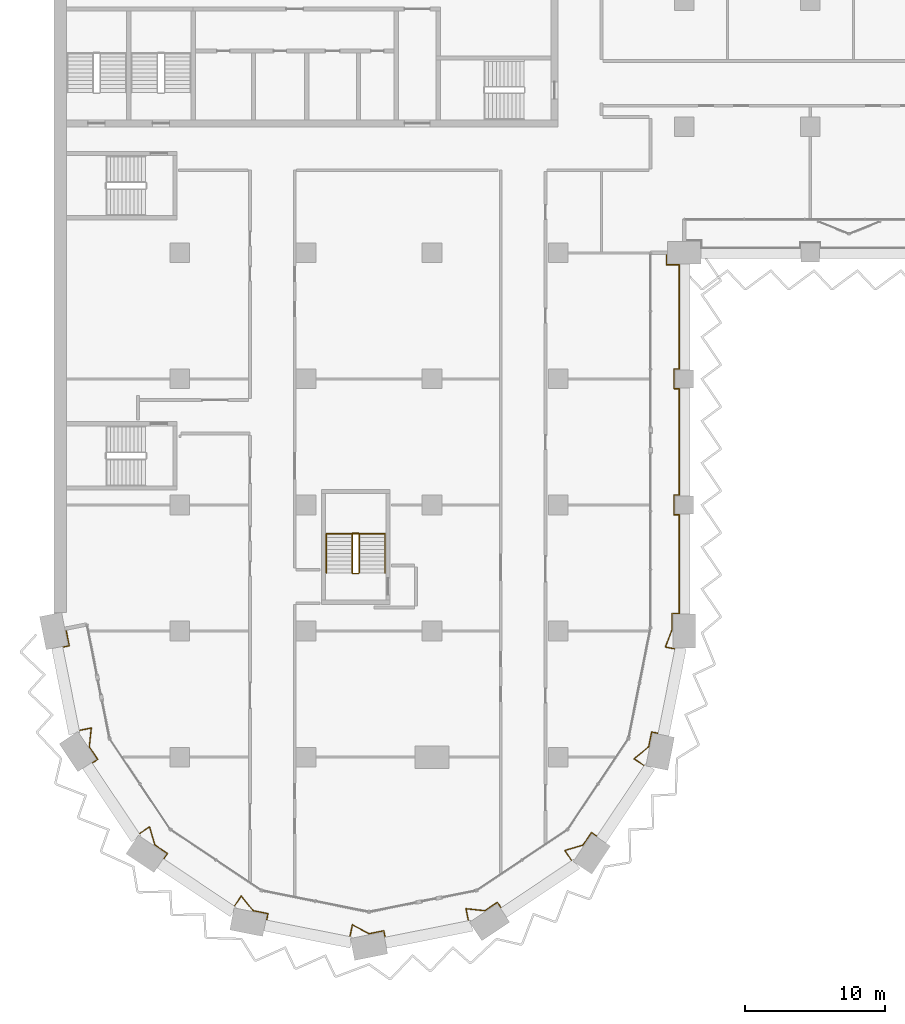
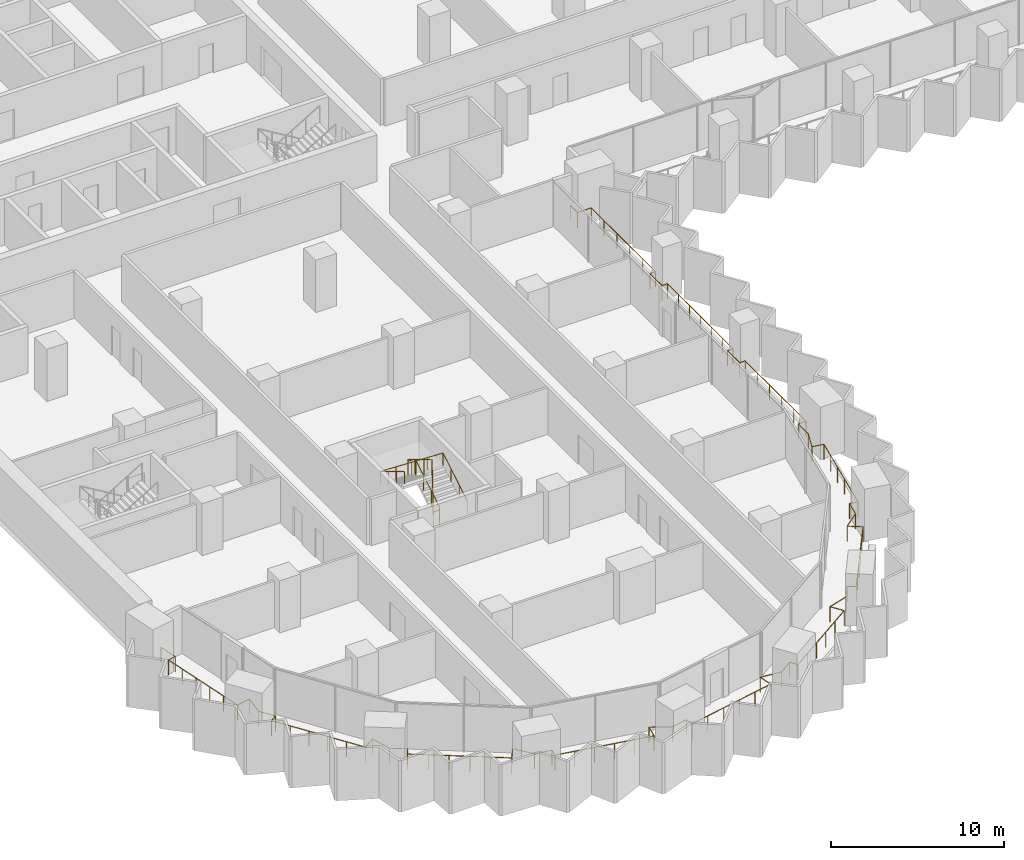
# One storey, part 24 of 28: 3 railings.
"""IFC4 building model written with IfcOpenShell, lengths in metres."""

from ifc_helpers import new_model, si_unit, direction, frame, origin, origin_2d, place, context, subcontext, project, spatial, circle, extrude, material, type_object, element, save


model = new_model("IFC4")

# Units and contexts
model_context = context("Model", 3, precision=1e-05, world=origin(), true_north=direction((0.0, 1.0)))
body_context = subcontext(model_context, "Body", "Model", "MODEL_VIEW")
ifc_project = project(units=[si_unit("LENGTHUNIT", "METRE"), si_unit("AREAUNIT", "SQUARE_METRE"), si_unit("VOLUMEUNIT", "CUBIC_METRE"), si_unit("PLANEANGLEUNIT", "RADIAN"), si_unit("MASSUNIT", "GRAM", prefix="KILO")], contexts=[model_context])

# Site, building, storey
site_placement = place(None, origin())
site = spatial("IfcSite", under=ifc_project, at=site_placement, CompositionType="ELEMENT")
building_placement = place(site_placement, origin())
building = spatial("IfcBuilding", under=site, at=building_placement, Name="Hunhe Ridgeline Campus", CompositionType="ELEMENT")
storey_placement = place(building_placement, frame((0.0, 0.0, 43.199951171875)))
storey = spatial("IfcBuildingStorey", under=building, at=storey_placement, Name="L09", CompositionType="ELEMENT", Elevation=43.199951171875)

# Railings
ifc_material_1 = material(Name="Steel Q355", Category="steel")
railing_type_1 = type_object("IfcRailingType", Name="Loggia guard 1100 Steel Q355", PredefinedType="GUARDRAIL", material=ifc_material_1)
railing_1_placement = place(storey_placement, frame((0.853271484375, 27.169677734375, 0.0)))
element("IfcRailing", 1, at=railing_1_placement, inside=storey, type_object=railing_type_1, Name="Loggia guard 1", PredefinedType="GUARDRAIL", context=body_context, shape_type="SweptSolid", body=[
    extrude(circle(Radius=0.02392578125, at=origin_2d()), frame((0.0, 0.0, 1.076171875), z_axis=(0.195139364365, -0.980775523999, 0.0), x_axis=(0.980775523999, 0.195139364365, 0.0)), (0.0, 0.0, 1.0), 1.249755859375),
    extrude(circle(Radius=0.02392578125, at=origin_2d()), frame((0.243896484375, -1.225830078125, 1.076171875), z_axis=(-0.980742851189, -0.195303506986, 0.0), x_axis=(0.195303506986, -0.980742851189, 0.0)), (0.0, 0.0, 1.0), 0.52001953125),
    extrude(circle(Radius=0.02392578125, at=origin_2d()), frame((-0.26611328125, -1.327392578125, 1.076171875), z_axis=(0.195094074844, -0.980784533912, 0.0), x_axis=(0.980784533912, 0.195094074844, 0.0)), (0.0, 0.0, 1.0), 6.064208984375),
    extrude(circle(Radius=0.02392578125, at=origin_2d()), frame((0.9169921875, -7.275146484375, 1.076171875), z_axis=(0.980774480174, 0.195144610585, 0.0), x_axis=(-0.195144610585, 0.980774480174, 0.0)), (0.0, 0.0, 1.0), 0.918212890625),
    extrude(circle(Radius=0.02392578125, at=origin_2d()), frame((1.817626953125, -7.095947265625, 1.076171875), z_axis=(-0.102578746514, -0.994724886973, 0.0), x_axis=(0.994724886973, -0.102578746514, 0.0)), (0.0, 0.0, 1.0), 1.351806640625),
    extrude(circle(Radius=0.02392578125, at=origin_2d()), frame((1.678955078125, -8.440673828125, 1.076171875), z_axis=(0.555693885997, -0.831386976724, 0.0), x_axis=(0.831386976724, 0.555693885997, 0.0)), (0.0, 0.0, 1.0), 1.076904296875),
    extrude(circle(Radius=0.02392578125, at=origin_2d()), frame((2.27734375, -9.3359375, 1.076171875), z_axis=(-0.831327417949, -0.555782982977, 0.0), x_axis=(0.555782982977, -0.831327417949, 0.0)), (0.0, 0.0, 1.0), 0.52001953125),
    extrude(circle(Radius=0.02392578125, at=origin_2d()), frame((1.844970703125, -9.625, 1.076171875), z_axis=(0.55557319973, -0.831467630002, 0.0), x_axis=(0.831467630002, 0.55557319973, 0.0)), (0.0, 0.0, 1.0), 6.064208984375),
    extrude(circle(Radius=0.02392578125, at=origin_2d()), frame((5.214111328125, -14.667236328125, 1.076171875), z_axis=(0.831395250422, 0.555681507318, 0.0), x_axis=(-0.555681507318, 0.831395250422, 0.0)), (0.0, 0.0, 1.0), 0.918212890625),
    extrude(circle(Radius=0.02392578125, at=origin_2d()), frame((5.9775390625, -14.156982421875, 1.076171875), z_axis=(0.285889499126, -0.958262591511, 0.0), x_axis=(0.958262591511, 0.285889499126, 0.0)), (0.0, 0.0, 1.0), 1.351806640625),
    extrude(circle(Radius=0.02392578125, at=origin_2d()), frame((6.364013671875, -15.452392578125, 1.076171875), z_axis=(0.831456967492, -0.555589156849, 0.0), x_axis=(0.555589156849, 0.831456967492, 0.0)), (0.0, 0.0, 1.0), 1.0771484375),
    extrude(circle(Radius=0.02392578125, at=origin_2d()), frame((7.259521484375, -16.05078125, 1.076171875), z_axis=(-0.555675381322, -0.831399344835, 0.0), x_axis=(0.831399344835, -0.555675381322, 0.0)), (0.0, 0.0, 1.0), 0.519775390625),
    extrude(circle(Radius=0.02392578125, at=origin_2d()), frame((6.970703125, -16.48291015625, 1.076171875), z_axis=(0.831467630002, -0.55557319973, 0.0), x_axis=(0.55557319973, 0.831467630002, 0.0)), (0.0, 0.0, 1.0), 6.064208984375),
    extrude(circle(Radius=0.02392578125, at=origin_2d()), frame((12.012939453125, -19.85205078125, 1.076171875), z_axis=(0.555497688072, 0.831518080709, 0.0), x_axis=(-0.831518080709, 0.555497688072, 0.0)), (0.0, 0.0, 1.0), 0.918212890625),
    extrude(circle(Radius=0.02392578125, at=origin_2d()), frame((12.52294921875, -19.088623046875, 1.076171875), z_axis=(0.630864561128, -0.775892972976, 0.0), x_axis=(0.775892972976, 0.630864561128, 0.0)), (0.0, 0.0, 1.0), 1.351806640625),
    extrude(circle(Radius=0.02392578125, at=origin_2d()), frame((13.375732421875, -20.137451171875, 1.076171875), z_axis=(0.980771998786, -0.195157081339, 0.0), x_axis=(0.195157081339, 0.980771998786, 0.0)), (0.0, 0.0, 1.0), 1.0771484375),
    extrude(circle(Radius=0.02392578125, at=origin_2d()), frame((14.43212890625, -20.34765625, 1.076171875), z_axis=(-0.195303506986, -0.980742851189, 0.0), x_axis=(0.980742851189, -0.195303506986, 0.0)), (0.0, 0.0, 1.0), 0.52001953125),
    extrude(circle(Radius=0.02392578125, at=origin_2d()), frame((14.33056640625, -20.857666015625, 1.076171875), z_axis=(0.980792236535, -0.195055347919, 0.0), x_axis=(0.195055347919, 0.980792236535, 0.0)), (0.0, 0.0, 1.0), 6.064208984375),
    extrude(circle(Radius=0.02392578125, at=origin_2d()), frame((20.2783203125, -22.04052734375, 1.076171875), z_axis=(0.195144610585, 0.980774480174, 0.0), x_axis=(-0.980774480174, 0.195144610585, 0.0)), (0.0, 0.0, 1.0), 0.918212890625),
    extrude(circle(Radius=0.02392578125, at=origin_2d()), frame((20.45751953125, -21.139892578125, 1.076171875), z_axis=(0.879704471732, -0.475520811757, 0.0), x_axis=(0.475520811757, 0.879704471732, 0.0)), (0.0, 0.0, 1.0), 1.351806640625),
    extrude(circle(Radius=0.02392578125, at=origin_2d()), frame((21.646728515625, -21.78271484375, 1.076171875), z_axis=(0.980763363144, 0.195200475189, 0.0), x_axis=(-0.195200475189, 0.980763363144, 0.0)), (0.0, 0.0, 1.0), 1.076904296875),
    extrude(circle(Radius=0.02392578125, at=origin_2d()), frame((22.702880859375, -21.572509765625, 1.076171875), z_axis=(0.195303506986, -0.980742851189, 0.0), x_axis=(0.980742851189, 0.195303506986, 0.0)), (0.0, 0.0, 1.0), 0.52001953125),
    extrude(circle(Radius=0.02392578125, at=origin_2d()), frame((22.804443359375, -22.08251953125, 1.076171875), z_axis=(0.980784533912, 0.195094074844, 0.0), x_axis=(-0.195094074844, 0.980784533912, 0.0)), (0.0, 0.0, 1.0), 6.064208984375),
    extrude(circle(Radius=0.02392578125, at=origin_2d()), frame((28.752197265625, -20.8994140625, 1.076171875), z_axis=(-0.195144610585, 0.980774480174, 0.0), x_axis=(-0.980774480174, -0.195144610585, 0.0)), (0.0, 0.0, 1.0), 0.918212890625),
    extrude(circle(Radius=0.02392578125, at=origin_2d()), frame((28.572998046875, -19.998779296875, 1.076171875), z_axis=(0.994724886973, -0.102578746514, 0.0), x_axis=(0.102578746514, 0.994724886973, 0.0)), (0.0, 0.0, 1.0), 1.351806640625),
    extrude(circle(Radius=0.02392578125, at=origin_2d()), frame((29.917724609375, -20.137451171875, 1.076171875), z_axis=(0.831386976724, 0.555693885997, 0.0), x_axis=(-0.555693885997, 0.831386976724, 0.0)), (0.0, 0.0, 1.0), 1.076904296875),
    extrude(circle(Radius=0.02392578125, at=origin_2d()), frame((30.81298828125, -19.5390625, 1.076171875), z_axis=(0.555782982977, -0.831327417949, 0.0), x_axis=(0.831327417949, 0.555782982977, 0.0)), (0.0, 0.0, 1.0), 0.52001953125),
    extrude(circle(Radius=0.02392578125, at=origin_2d()), frame((31.10205078125, -19.971435546875, 1.076171875), z_axis=(0.831467630002, 0.55557319973, 0.0), x_axis=(-0.55557319973, 0.831467630002, 0.0)), (0.0, 0.0, 1.0), 6.064208984375),
    extrude(circle(Radius=0.02392578125, at=origin_2d()), frame((36.144287109375, -16.602294921875, 1.076171875), z_axis=(-0.555681507318, 0.831395250422, 0.0), x_axis=(-0.831395250422, -0.555681507318, 0.0)), (0.0, 0.0, 1.0), 0.918212890625),
    extrude(circle(Radius=0.02392578125, at=origin_2d()), frame((35.634033203125, -15.8388671875, 1.076171875), z_axis=(0.958262591511, 0.285889499126, 0.0), x_axis=(-0.285889499126, 0.958262591511, 0.0)), (0.0, 0.0, 1.0), 1.351806640625),
    extrude(circle(Radius=0.02392578125, at=origin_2d()), frame((36.929443359375, -15.452392578125, 1.076171875), z_axis=(0.555589156849, 0.831456967492, 0.0), x_axis=(-0.831456967492, 0.555589156849, 0.0)), (0.0, 0.0, 1.0), 1.0771484375),
    extrude(circle(Radius=0.02392578125, at=origin_2d()), frame((37.52783203125, -14.556884765625, 1.076171875), z_axis=(0.831399344835, -0.555675381322, 0.0), x_axis=(0.555675381322, 0.831399344835, 0.0)), (0.0, 0.0, 1.0), 0.519775390625),
    extrude(circle(Radius=0.02392578125, at=origin_2d()), frame((37.9599609375, -14.845703125, 1.076171875), z_axis=(0.55557319973, 0.831467630002, 0.0), x_axis=(-0.831467630002, 0.55557319973, 0.0)), (0.0, 0.0, 1.0), 6.064208984375),
    extrude(circle(Radius=0.02392578125, at=origin_2d()), frame((41.3291015625, -9.803466796875, 1.076171875), z_axis=(-0.831518080709, 0.555497688072, 0.0), x_axis=(-0.555497688072, -0.831518080709, 0.0)), (0.0, 0.0, 1.0), 0.918212890625),
    extrude(circle(Radius=0.02392578125, at=origin_2d()), frame((40.565673828125, -9.29345703125, 1.076171875), z_axis=(0.775892972976, 0.630864561128, 0.0), x_axis=(-0.630864561128, 0.775892972976, 0.0)), (0.0, 0.0, 1.0), 1.351806640625),
    extrude(circle(Radius=0.02392578125, at=origin_2d()), frame((41.614501953125, -8.440673828125, 1.076171875), z_axis=(0.195157081339, 0.980771998786, 0.0), x_axis=(-0.980771998786, 0.195157081339, 0.0)), (0.0, 0.0, 1.0), 1.0771484375),
    extrude(circle(Radius=0.02392578125, at=origin_2d()), frame((41.82470703125, -7.38427734375, 1.076171875), z_axis=(0.980742851189, -0.195303506986, 0.0), x_axis=(0.195303506986, 0.980742851189, 0.0)), (0.0, 0.0, 1.0), 0.52001953125),
    extrude(circle(Radius=0.02392578125, at=origin_2d()), frame((42.334716796875, -7.48583984375, 1.076171875), z_axis=(0.19507712928, 0.980787904509, 0.0), x_axis=(-0.980787904509, 0.19507712928, 0.0)), (0.0, 0.0, 1.0), 6.146240234375),
    extrude(circle(Radius=0.02392578125, at=origin_2d()), frame((43.53369140625, -1.457763671875, 1.076171875), z_axis=(-0.980808789294, 0.194972097602, 0.0), x_axis=(-0.194972097602, -0.980808789294, 0.0)), (0.0, 0.0, 1.0), 0.73876953125),
    extrude(circle(Radius=0.02392578125, at=origin_2d()), frame((42.80908203125, -1.313720703125, 1.076171875), z_axis=(0.35537018301, 0.93472564586, 0.0), x_axis=(-0.93472564586, 0.35537018301, 0.0)), (0.0, 0.0, 1.0), 1.315673828125),
    extrude(circle(Radius=0.02392578125, at=origin_2d()), frame((43.276611328125, -0.083984375, 1.076171875), z_axis=(0.0, 1.0, 0.0), x_axis=(-1.0, 0.0, 0.0)), (0.0, 0.0, 1.0), 1.164306640625),
    extrude(circle(Radius=0.02392578125, at=origin_2d()), frame((43.276611328125, 1.080322265625, 1.076171875), z_axis=(1.0, 0.0, 0.0), x_axis=(0.0, 1.0, 0.0)), (0.0, 0.0, 1.0), 0.52001953125),
    extrude(circle(Radius=0.02392578125, at=origin_2d()), frame((43.796630859375, 1.080322265625, 1.076171875), z_axis=(0.0, 1.0, 0.0), x_axis=(-1.0, 0.0, 0.0)), (0.0, 0.0, 1.0), 7.050048828125),
    extrude(circle(Radius=0.02392578125, at=origin_2d()), frame((43.796630859375, 8.13037109375, 1.076171875), z_axis=(-1.0, 0.0, 0.0), x_axis=(0.0, -1.0, 0.0)), (0.0, 0.0, 1.0), 0.369873046875),
    extrude(circle(Radius=0.02392578125, at=origin_2d()), frame((43.4267578125, 8.13037109375, 1.076171875), z_axis=(0.0, 1.0, 0.0), x_axis=(-1.0, 0.0, 0.0)), (0.0, 0.0, 1.0), 1.39990234375),
    extrude(circle(Radius=0.02392578125, at=origin_2d()), frame((43.4267578125, 9.5302734375, 1.076171875), z_axis=(1.0, 0.0, 0.0), x_axis=(0.0, 1.0, 0.0)), (0.0, 0.0, 1.0), 0.369873046875),
    extrude(circle(Radius=0.02392578125, at=origin_2d()), frame((43.796630859375, 9.5302734375, 1.076171875), z_axis=(0.0, 1.0, 0.0), x_axis=(-1.0, 0.0, 0.0)), (0.0, 0.0, 1.0), 7.60009765625),
    extrude(circle(Radius=0.02392578125, at=origin_2d()), frame((43.796630859375, 17.13037109375, 1.076171875), z_axis=(-1.0, 0.0, 0.0), x_axis=(0.0, -1.0, 0.0)), (0.0, 0.0, 1.0), 0.369873046875),
    extrude(circle(Radius=0.02392578125, at=origin_2d()), frame((43.4267578125, 17.13037109375, 1.076171875), z_axis=(0.0, 1.0, 0.0), x_axis=(-1.0, 0.0, 0.0)), (0.0, 0.0, 1.0), 1.39990234375),
    extrude(circle(Radius=0.02392578125, at=origin_2d()), frame((43.4267578125, 18.5302734375, 1.076171875), z_axis=(1.0, 0.0, 0.0), x_axis=(0.0, 1.0, 0.0)), (0.0, 0.0, 1.0), 0.369873046875),
    extrude(circle(Radius=0.02392578125, at=origin_2d()), frame((43.796630859375, 18.5302734375, 1.076171875), z_axis=(0.0, 1.0, 0.0), x_axis=(-1.0, 0.0, 0.0)), (0.0, 0.0, 1.0), 7.449951171875),
    extrude(circle(Radius=0.02392578125, at=origin_2d()), frame((43.796630859375, 25.980224609375, 1.076171875), z_axis=(-1.0, 0.0, 0.0), x_axis=(0.0, -1.0, 0.0)), (0.0, 0.0, 1.0), 0.919921875),
    extrude(circle(Radius=0.02392578125, at=origin_2d()), frame((42.876708984375, 25.980224609375, 1.076171875), z_axis=(0.0, 1.0, 0.0), x_axis=(-1.0, 0.0, 0.0)), (0.0, 0.0, 1.0), 0.85009765625),
    extrude(circle(Radius=0.02099609375, at=origin_2d()), origin(), (0.0, 0.0, 1.0), 1.052001953125),
    extrude(circle(Radius=0.02099609375, at=origin_2d()), frame((0.243896484375, -1.225830078125, 0.0)), (0.0, 0.0, 1.0), 1.052001953125),
    extrude(circle(Radius=0.02099609375, at=origin_2d()), frame((-0.26611328125, -1.327392578125, 0.0)), (0.0, 0.0, 1.0), 1.052001953125),
    extrude(circle(Radius=0.02099609375, at=origin_2d()), frame((-0.029541015625, -2.516845703125, 0.0)), (0.0, 0.0, 1.0), 1.052001953125),
    extrude(circle(Radius=0.02099609375, at=origin_2d()), frame((0.20703125, -3.70654296875, 0.0)), (0.0, 0.0, 1.0), 1.052001953125),
    extrude(circle(Radius=0.02099609375, at=origin_2d()), frame((0.44384765625, -4.89599609375, 0.0)), (0.0, 0.0, 1.0), 1.052001953125),
    extrude(circle(Radius=0.02099609375, at=origin_2d()), frame((0.680419921875, -6.085693359375, 0.0)), (0.0, 0.0, 1.0), 1.052001953125),
    extrude(circle(Radius=0.02099609375, at=origin_2d()), frame((0.9169921875, -7.275146484375, 0.0)), (0.0, 0.0, 1.0), 1.052001953125),
    extrude(circle(Radius=0.02099609375, at=origin_2d()), frame((1.817626953125, -7.095947265625, 0.0)), (0.0, 0.0, 1.0), 1.052001953125),
    extrude(circle(Radius=0.02099609375, at=origin_2d()), frame((1.678955078125, -8.440673828125, 0.0)), (0.0, 0.0, 1.0), 1.052001953125),
    extrude(circle(Radius=0.02099609375, at=origin_2d()), frame((2.27734375, -9.3359375, 0.0)), (0.0, 0.0, 1.0), 1.052001953125),
    extrude(circle(Radius=0.02099609375, at=origin_2d()), frame((1.844970703125, -9.625, 0.0)), (0.0, 0.0, 1.0), 1.052001953125),
    extrude(circle(Radius=0.02099609375, at=origin_2d()), frame((2.518798828125, -10.633544921875, 0.0)), (0.0, 0.0, 1.0), 1.052001953125),
    extrude(circle(Radius=0.02099609375, at=origin_2d()), frame((3.192626953125, -11.641845703125, 0.0)), (0.0, 0.0, 1.0), 1.052001953125),
    extrude(circle(Radius=0.02099609375, at=origin_2d()), frame((3.866455078125, -12.650390625, 0.0)), (0.0, 0.0, 1.0), 1.052001953125),
    extrude(circle(Radius=0.02099609375, at=origin_2d()), frame((4.540283203125, -13.65869140625, 0.0)), (0.0, 0.0, 1.0), 1.052001953125),
    extrude(circle(Radius=0.02099609375, at=origin_2d()), frame((5.214111328125, -14.667236328125, 0.0)), (0.0, 0.0, 1.0), 1.052001953125),
    extrude(circle(Radius=0.02099609375, at=origin_2d()), frame((5.9775390625, -14.156982421875, 0.0)), (0.0, 0.0, 1.0), 1.052001953125),
    extrude(circle(Radius=0.02099609375, at=origin_2d()), frame((6.364013671875, -15.452392578125, 0.0)), (0.0, 0.0, 1.0), 1.052001953125),
    extrude(circle(Radius=0.02099609375, at=origin_2d()), frame((7.259521484375, -16.05078125, 0.0)), (0.0, 0.0, 1.0), 1.052001953125),
    extrude(circle(Radius=0.02099609375, at=origin_2d()), frame((6.970703125, -16.48291015625, 0.0)), (0.0, 0.0, 1.0), 1.052001953125),
    extrude(circle(Radius=0.02099609375, at=origin_2d()), frame((7.979248046875, -17.15673828125, 0.0)), (0.0, 0.0, 1.0), 1.052001953125),
    extrude(circle(Radius=0.02099609375, at=origin_2d()), frame((8.987548828125, -17.83056640625, 0.0)), (0.0, 0.0, 1.0), 1.052001953125),
    extrude(circle(Radius=0.02099609375, at=origin_2d()), frame((9.99609375, -18.50439453125, 0.0)), (0.0, 0.0, 1.0), 1.052001953125),
    extrude(circle(Radius=0.02099609375, at=origin_2d()), frame((11.00439453125, -19.17822265625, 0.0)), (0.0, 0.0, 1.0), 1.052001953125),
    extrude(circle(Radius=0.02099609375, at=origin_2d()), frame((12.012939453125, -19.85205078125, 0.0)), (0.0, 0.0, 1.0), 1.052001953125),
    extrude(circle(Radius=0.02099609375, at=origin_2d()), frame((12.52294921875, -19.088623046875, 0.0)), (0.0, 0.0, 1.0), 1.052001953125),
    extrude(circle(Radius=0.02099609375, at=origin_2d()), frame((13.375732421875, -20.137451171875, 0.0)), (0.0, 0.0, 1.0), 1.052001953125),
    extrude(circle(Radius=0.02099609375, at=origin_2d()), frame((14.43212890625, -20.34765625, 0.0)), (0.0, 0.0, 1.0), 1.052001953125),
    extrude(circle(Radius=0.02099609375, at=origin_2d()), frame((14.33056640625, -20.857666015625, 0.0)), (0.0, 0.0, 1.0), 1.052001953125),
    extrude(circle(Radius=0.02099609375, at=origin_2d()), frame((15.52001953125, -21.09423828125, 0.0)), (0.0, 0.0, 1.0), 1.052001953125),
    extrude(circle(Radius=0.02099609375, at=origin_2d()), frame((16.709716796875, -21.330810546875, 0.0)), (0.0, 0.0, 1.0), 1.052001953125),
    extrude(circle(Radius=0.02099609375, at=origin_2d()), frame((17.899169921875, -21.5673828125, 0.0)), (0.0, 0.0, 1.0), 1.052001953125),
    extrude(circle(Radius=0.02099609375, at=origin_2d()), frame((19.0888671875, -21.803955078125, 0.0)), (0.0, 0.0, 1.0), 1.052001953125),
    extrude(circle(Radius=0.02099609375, at=origin_2d()), frame((20.2783203125, -22.04052734375, 0.0)), (0.0, 0.0, 1.0), 1.052001953125),
    extrude(circle(Radius=0.02099609375, at=origin_2d()), frame((20.45751953125, -21.139892578125, 0.0)), (0.0, 0.0, 1.0), 1.052001953125),
    extrude(circle(Radius=0.02099609375, at=origin_2d()), frame((21.646728515625, -21.78271484375, 0.0)), (0.0, 0.0, 1.0), 1.052001953125),
    extrude(circle(Radius=0.02099609375, at=origin_2d()), frame((22.702880859375, -21.572509765625, 0.0)), (0.0, 0.0, 1.0), 1.052001953125),
    extrude(circle(Radius=0.02099609375, at=origin_2d()), frame((22.804443359375, -22.08251953125, 0.0)), (0.0, 0.0, 1.0), 1.052001953125),
    extrude(circle(Radius=0.02099609375, at=origin_2d()), frame((23.993896484375, -21.845947265625, 0.0)), (0.0, 0.0, 1.0), 1.052001953125),
    extrude(circle(Radius=0.02099609375, at=origin_2d()), frame((25.18359375, -21.609375, 0.0)), (0.0, 0.0, 1.0), 1.052001953125),
    extrude(circle(Radius=0.02099609375, at=origin_2d()), frame((26.373046875, -21.37255859375, 0.0)), (0.0, 0.0, 1.0), 1.052001953125),
    extrude(circle(Radius=0.02099609375, at=origin_2d()), frame((27.562744140625, -21.135986328125, 0.0)), (0.0, 0.0, 1.0), 1.052001953125),
    extrude(circle(Radius=0.02099609375, at=origin_2d()), frame((28.752197265625, -20.8994140625, 0.0)), (0.0, 0.0, 1.0), 1.052001953125),
    extrude(circle(Radius=0.02099609375, at=origin_2d()), frame((28.572998046875, -19.998779296875, 0.0)), (0.0, 0.0, 1.0), 1.052001953125),
    extrude(circle(Radius=0.02099609375, at=origin_2d()), frame((29.917724609375, -20.137451171875, 0.0)), (0.0, 0.0, 1.0), 1.052001953125),
    extrude(circle(Radius=0.02099609375, at=origin_2d()), frame((30.81298828125, -19.5390625, 0.0)), (0.0, 0.0, 1.0), 1.052001953125),
    extrude(circle(Radius=0.02099609375, at=origin_2d()), frame((31.10205078125, -19.971435546875, 0.0)), (0.0, 0.0, 1.0), 1.052001953125),
    extrude(circle(Radius=0.02099609375, at=origin_2d()), frame((32.110595703125, -19.297607421875, 0.0)), (0.0, 0.0, 1.0), 1.052001953125),
    extrude(circle(Radius=0.02099609375, at=origin_2d()), frame((33.118896484375, -18.623779296875, 0.0)), (0.0, 0.0, 1.0), 1.052001953125),
    extrude(circle(Radius=0.02099609375, at=origin_2d()), frame((34.12744140625, -17.949951171875, 0.0)), (0.0, 0.0, 1.0), 1.052001953125),
    extrude(circle(Radius=0.02099609375, at=origin_2d()), frame((35.1357421875, -17.276123046875, 0.0)), (0.0, 0.0, 1.0), 1.052001953125),
    extrude(circle(Radius=0.02099609375, at=origin_2d()), frame((36.144287109375, -16.602294921875, 0.0)), (0.0, 0.0, 1.0), 1.052001953125),
    extrude(circle(Radius=0.02099609375, at=origin_2d()), frame((35.634033203125, -15.8388671875, 0.0)), (0.0, 0.0, 1.0), 1.052001953125),
    extrude(circle(Radius=0.02099609375, at=origin_2d()), frame((36.929443359375, -15.452392578125, 0.0)), (0.0, 0.0, 1.0), 1.052001953125),
    extrude(circle(Radius=0.02099609375, at=origin_2d()), frame((37.52783203125, -14.556884765625, 0.0)), (0.0, 0.0, 1.0), 1.052001953125),
    extrude(circle(Radius=0.02099609375, at=origin_2d()), frame((37.9599609375, -14.845703125, 0.0)), (0.0, 0.0, 1.0), 1.052001953125),
    extrude(circle(Radius=0.02099609375, at=origin_2d()), frame((38.6337890625, -13.837158203125, 0.0)), (0.0, 0.0, 1.0), 1.052001953125),
    extrude(circle(Radius=0.02099609375, at=origin_2d()), frame((39.3076171875, -12.828857421875, 0.0)), (0.0, 0.0, 1.0), 1.052001953125),
    extrude(circle(Radius=0.02099609375, at=origin_2d()), frame((39.9814453125, -11.8203125, 0.0)), (0.0, 0.0, 1.0), 1.052001953125),
    extrude(circle(Radius=0.02099609375, at=origin_2d()), frame((40.6552734375, -10.81201171875, 0.0)), (0.0, 0.0, 1.0), 1.052001953125),
    extrude(circle(Radius=0.02099609375, at=origin_2d()), frame((41.3291015625, -9.803466796875, 0.0)), (0.0, 0.0, 1.0), 1.052001953125),
    extrude(circle(Radius=0.02099609375, at=origin_2d()), frame((40.565673828125, -9.29345703125, 0.0)), (0.0, 0.0, 1.0), 1.052001953125),
    extrude(circle(Radius=0.02099609375, at=origin_2d()), frame((41.614501953125, -8.440673828125, 0.0)), (0.0, 0.0, 1.0), 1.052001953125),
    extrude(circle(Radius=0.02099609375, at=origin_2d()), frame((41.82470703125, -7.38427734375, 0.0)), (0.0, 0.0, 1.0), 1.052001953125),
    extrude(circle(Radius=0.02099609375, at=origin_2d()), frame((42.334716796875, -7.48583984375, 0.0)), (0.0, 0.0, 1.0), 1.052001953125),
    extrude(circle(Radius=0.02099609375, at=origin_2d()), frame((42.574462890625, -6.2802734375, 0.0)), (0.0, 0.0, 1.0), 1.052001953125),
    extrude(circle(Radius=0.02099609375, at=origin_2d()), frame((42.814208984375, -5.07470703125, 0.0)), (0.0, 0.0, 1.0), 1.052001953125),
    extrude(circle(Radius=0.02099609375, at=origin_2d()), frame((43.05419921875, -3.868896484375, 0.0)), (0.0, 0.0, 1.0), 1.052001953125),
    extrude(circle(Radius=0.02099609375, at=origin_2d()), frame((43.2939453125, -2.663330078125, 0.0)), (0.0, 0.0, 1.0), 1.052001953125),
    extrude(circle(Radius=0.02099609375, at=origin_2d()), frame((43.53369140625, -1.457763671875, 0.0)), (0.0, 0.0, 1.0), 1.052001953125),
    extrude(circle(Radius=0.02099609375, at=origin_2d()), frame((42.80908203125, -1.313720703125, 0.0)), (0.0, 0.0, 1.0), 1.052001953125),
    extrude(circle(Radius=0.02099609375, at=origin_2d()), frame((43.276611328125, -0.083984375, 0.0)), (0.0, 0.0, 1.0), 1.052001953125),
    extrude(circle(Radius=0.02099609375, at=origin_2d()), frame((43.276611328125, 1.080322265625, 0.0)), (0.0, 0.0, 1.0), 1.052001953125),
    extrude(circle(Radius=0.02099609375, at=origin_2d()), frame((43.796630859375, 1.080322265625, 0.0)), (0.0, 0.0, 1.0), 1.052001953125),
    extrude(circle(Radius=0.02099609375, at=origin_2d()), frame((43.796630859375, 2.490234375, 0.0)), (0.0, 0.0, 1.0), 1.052001953125),
    extrude(circle(Radius=0.02099609375, at=origin_2d()), frame((43.796630859375, 3.900390625, 0.0)), (0.0, 0.0, 1.0), 1.052001953125),
    extrude(circle(Radius=0.02099609375, at=origin_2d()), frame((43.796630859375, 5.310302734375, 0.0)), (0.0, 0.0, 1.0), 1.052001953125),
    extrude(circle(Radius=0.02099609375, at=origin_2d()), frame((43.796630859375, 6.720458984375, 0.0)), (0.0, 0.0, 1.0), 1.052001953125),
    extrude(circle(Radius=0.02099609375, at=origin_2d()), frame((43.796630859375, 8.13037109375, 0.0)), (0.0, 0.0, 1.0), 1.052001953125),
    extrude(circle(Radius=0.02099609375, at=origin_2d()), frame((43.4267578125, 8.13037109375, 0.0)), (0.0, 0.0, 1.0), 1.052001953125),
    extrude(circle(Radius=0.02099609375, at=origin_2d()), frame((43.4267578125, 9.5302734375, 0.0)), (0.0, 0.0, 1.0), 1.052001953125),
    extrude(circle(Radius=0.02099609375, at=origin_2d()), frame((43.796630859375, 9.5302734375, 0.0)), (0.0, 0.0, 1.0), 1.052001953125),
    extrude(circle(Radius=0.02099609375, at=origin_2d()), frame((43.796630859375, 10.796875, 0.0)), (0.0, 0.0, 1.0), 1.052001953125),
    extrude(circle(Radius=0.02099609375, at=origin_2d()), frame((43.796630859375, 12.063720703125, 0.0)), (0.0, 0.0, 1.0), 1.052001953125),
    extrude(circle(Radius=0.02099609375, at=origin_2d()), frame((43.796630859375, 13.330322265625, 0.0)), (0.0, 0.0, 1.0), 1.052001953125),
    extrude(circle(Radius=0.02099609375, at=origin_2d()), frame((43.796630859375, 14.596923828125, 0.0)), (0.0, 0.0, 1.0), 1.052001953125),
    extrude(circle(Radius=0.02099609375, at=origin_2d()), frame((43.796630859375, 15.86376953125, 0.0)), (0.0, 0.0, 1.0), 1.052001953125),
    extrude(circle(Radius=0.02099609375, at=origin_2d()), frame((43.796630859375, 17.13037109375, 0.0)), (0.0, 0.0, 1.0), 1.052001953125),
    extrude(circle(Radius=0.02099609375, at=origin_2d()), frame((43.4267578125, 17.13037109375, 0.0)), (0.0, 0.0, 1.0), 1.052001953125),
    extrude(circle(Radius=0.02099609375, at=origin_2d()), frame((43.4267578125, 18.5302734375, 0.0)), (0.0, 0.0, 1.0), 1.052001953125),
    extrude(circle(Radius=0.02099609375, at=origin_2d()), frame((43.796630859375, 18.5302734375, 0.0)), (0.0, 0.0, 1.0), 1.052001953125),
    extrude(circle(Radius=0.02099609375, at=origin_2d()), frame((43.796630859375, 20.020263671875, 0.0)), (0.0, 0.0, 1.0), 1.052001953125),
    extrude(circle(Radius=0.02099609375, at=origin_2d()), frame((43.796630859375, 21.51025390625, 0.0)), (0.0, 0.0, 1.0), 1.052001953125),
    extrude(circle(Radius=0.02099609375, at=origin_2d()), frame((43.796630859375, 23.000244140625, 0.0)), (0.0, 0.0, 1.0), 1.052001953125),
    extrude(circle(Radius=0.02099609375, at=origin_2d()), frame((43.796630859375, 24.490234375, 0.0)), (0.0, 0.0, 1.0), 1.052001953125),
    extrude(circle(Radius=0.02099609375, at=origin_2d()), frame((43.796630859375, 25.980224609375, 0.0)), (0.0, 0.0, 1.0), 1.052001953125),
    extrude(circle(Radius=0.02099609375, at=origin_2d()), frame((42.876708984375, 25.980224609375, 0.0)), (0.0, 0.0, 1.0), 1.052001953125),
    extrude(circle(Radius=0.02099609375, at=origin_2d()), frame((42.876708984375, 26.830322265625, 0.0)), (0.0, 0.0, 1.0), 1.052001953125),
])
ifc_material_2 = material(Name="Stainless steel balustrade", Category="steel")
railing_type_2 = type_object("IfcRailingType", Name="Stair guard 1100 stainless", PredefinedType="GUARDRAIL", material=ifc_material_2)
railing_2_placement = place(storey_placement, frame((21.800048828125, 31.14990234375, 0.168212890625)))
element("IfcRailing", 2, at=railing_2_placement, inside=storey, type_object=railing_type_2, Name="L09 stair W3 guard", PredefinedType="GUARDRAIL", context=body_context, shape_type="SweptSolid", body=[
    extrude(circle(Radius=0.02392578125, at=origin_2d()), frame((0.0, 0.0, 1.076171875), z_axis=(0.0, 0.857242210791, 0.514913383045), x_axis=(-1.0, 0.0, 0.0)), (0.0, 0.0, 1.0), 3.266357421875),
    extrude(circle(Radius=0.02392578125, at=origin_2d()), frame((0.0, 2.800048828125, 2.7578125), z_axis=(-0.707106781187, 0.707106781187, 0.0), x_axis=(-0.707106781187, -0.707106781187, 0.0)), (0.0, 0.0, 1.0), 0.07080078125),
    extrude(circle(Radius=0.02392578125, at=origin_2d()), frame((-0.050048828125, 2.85009765625, 2.7578125), z_axis=(-1.0, 0.0, 0.0), x_axis=(0.0, -1.0, 0.0)), (0.0, 0.0, 1.0), 0.39990234375),
    extrude(circle(Radius=0.02392578125, at=origin_2d()), frame((-0.449951171875, 2.85009765625, 2.7578125), z_axis=(-0.274243871929, -0.274243871929, 0.92172696468), x_axis=(0.707106781187, -0.707106781187, 0.0)), (0.0, 0.0, 1.0), 0.1826171875),
    extrude(circle(Radius=0.02392578125, at=origin_2d()), frame((-0.5, 2.800048828125, 2.92626953125), z_axis=(0.0, -0.857275202839, 0.514858452973), x_axis=(1.0, 0.0, 0.0)), (0.0, 0.0, 1.0), 3.26611328125),
    extrude(circle(Radius=0.02392578125, at=origin_2d()), frame((-0.5, 0.0, 4.60791015625), z_axis=(0.013524426427, -0.013458453615, -0.999817963389), x_axis=(0.705375805398, 0.708833529934, 0.0)), (0.0, 0.0, 1.0), 3.70068359375),
    extrude(circle(Radius=0.02392578125, at=origin_2d()), frame((-0.449951171875, -0.0498046875, 0.90771484375), z_axis=(1.0, 0.0, 0.0), x_axis=(0.0, 1.0, 0.0)), (0.0, 0.0, 1.0), 0.39990234375),
    extrude(circle(Radius=0.02099609375, at=origin_2d()), origin(), (0.0, 0.0, 1.0), 1.052001953125),
    extrude(circle(Radius=0.02099609375, at=origin_2d()), frame((0.0, 0.933349609375, 0.560546875)), (0.0, 0.0, 1.0), 1.052001953125),
    extrude(circle(Radius=0.02099609375, at=origin_2d()), frame((0.0, 1.86669921875, 1.121337890625)), (0.0, 0.0, 1.0), 1.052001953125),
    extrude(circle(Radius=0.02099609375, at=origin_2d()), frame((0.0, 2.800048828125, 1.681884765625)), (0.0, 0.0, 1.0), 1.052001953125),
    extrude(circle(Radius=0.02099609375, at=origin_2d()), frame((-0.050048828125, 2.85009765625, 1.681884765625)), (0.0, 0.0, 1.0), 1.052001953125),
    extrude(circle(Radius=0.02099609375, at=origin_2d()), frame((-0.449951171875, 2.85009765625, 1.681884765625)), (0.0, 0.0, 1.0), 1.052001953125),
    extrude(circle(Radius=0.02099609375, at=origin_2d()), frame((-0.5, 2.800048828125, 1.85009765625)), (0.0, 0.0, 1.0), 1.052001953125),
    extrude(circle(Radius=0.02099609375, at=origin_2d()), frame((-0.5, 1.86669921875, 2.41064453125)), (0.0, 0.0, 1.0), 1.052001953125),
    extrude(circle(Radius=0.02099609375, at=origin_2d()), frame((-0.5, 0.933349609375, 2.97119140625)), (0.0, 0.0, 1.0), 1.052001953125),
    extrude(circle(Radius=0.02099609375, at=origin_2d()), frame((-0.5, 0.0, 3.53173828125)), (0.0, 0.0, 1.0), 1.052001953125),
    extrude(circle(Radius=0.02099609375, at=origin_2d()), frame((-0.487548828125, -0.012451171875, 2.606689453125)), (0.0, 0.0, 1.0), 1.052001953125),
    extrude(circle(Radius=0.02099609375, at=origin_2d()), frame((-0.47509765625, -0.02490234375, 1.681640625)), (0.0, 0.0, 1.0), 1.052001953125),
    extrude(circle(Radius=0.02099609375, at=origin_2d()), frame((-0.46240234375, -0.037353515625, 0.7568359375)), (0.0, 0.0, 1.0), 1.052001953125),
    extrude(circle(Radius=0.02099609375, at=origin_2d()), frame((-0.449951171875, -0.0498046875, -0.168212890625)), (0.0, 0.0, 1.0), 1.052001953125),
    extrude(circle(Radius=0.02099609375, at=origin_2d()), frame((-0.050048828125, -0.0498046875, -0.168212890625)), (0.0, 0.0, 1.0), 1.052001953125),
])
ifc_material_3 = material(Name="Stainless steel handrail", Category="steel")
railing_type_3 = type_object("IfcRailingType", Name="Stair handrail 900 stainless", PredefinedType="HANDRAIL", material=ifc_material_3)
railing_3_placement = place(storey_placement, frame((23.64990234375, 31.14990234375, 0.168212890625)))
element("IfcRailing", 3, at=railing_3_placement, inside=storey, type_object=railing_type_3, Name="L09 stair W3 handrail", PredefinedType="HANDRAIL", context=body_context, shape_type="SweptSolid", body=[
    extrude(circle(Radius=0.02392578125, at=origin_2d()), frame((0.0, 0.0, 0.8759765625), z_axis=(0.0, 0.857242210791, 0.514913383045), x_axis=(-1.0, 0.0, 0.0)), (0.0, 0.0, 1.0), 3.266357421875),
    extrude(circle(Radius=0.02392578125, at=origin_2d()), frame((0.0, 2.800048828125, 2.5576171875), z_axis=(-0.999198916169, 0.0, 0.040019069537), x_axis=(0.0, -1.0, 0.0)), (0.0, 0.0, 1.0), 4.203369140625),
    extrude(circle(Radius=0.02392578125, at=origin_2d()), frame((-4.199951171875, 2.800048828125, 2.72607421875), z_axis=(0.0, -0.857275202839, 0.514858452973), x_axis=(1.0, 0.0, 0.0)), (0.0, 0.0, 1.0), 3.26611328125),
    extrude(circle(Radius=0.02099609375, at=origin_2d()), origin(), (0.0, 0.0, 1.0), 0.851806640625),
    extrude(circle(Radius=0.02099609375, at=origin_2d()), frame((0.0, 0.933349609375, 0.560546875)), (0.0, 0.0, 1.0), 0.851806640625),
    extrude(circle(Radius=0.02099609375, at=origin_2d()), frame((0.0, 1.86669921875, 1.121337890625)), (0.0, 0.0, 1.0), 0.851806640625),
    extrude(circle(Radius=0.02099609375, at=origin_2d()), frame((0.0, 2.800048828125, 1.681884765625)), (0.0, 0.0, 1.0), 0.851806640625),
    extrude(circle(Radius=0.02099609375, at=origin_2d()), frame((-1.050048828125, 2.800048828125, 1.723876953125)), (0.0, 0.0, 1.0), 0.851806640625),
    extrude(circle(Radius=0.02099609375, at=origin_2d()), frame((-2.10009765625, 2.800048828125, 1.76611328125)), (0.0, 0.0, 1.0), 0.851806640625),
    extrude(circle(Radius=0.02099609375, at=origin_2d()), frame((-3.14990234375, 2.800048828125, 1.80810546875)), (0.0, 0.0, 1.0), 0.851806640625),
    extrude(circle(Radius=0.02099609375, at=origin_2d()), frame((-4.199951171875, 2.800048828125, 1.85009765625)), (0.0, 0.0, 1.0), 0.851806640625),
    extrude(circle(Radius=0.02099609375, at=origin_2d()), frame((-4.199951171875, 1.86669921875, 2.41064453125)), (0.0, 0.0, 1.0), 0.851806640625),
    extrude(circle(Radius=0.02099609375, at=origin_2d()), frame((-4.199951171875, 0.933349609375, 2.97119140625)), (0.0, 0.0, 1.0), 0.851806640625),
    extrude(circle(Radius=0.02099609375, at=origin_2d()), frame((-4.199951171875, 0.0, 3.53173828125)), (0.0, 0.0, 1.0), 0.851806640625),
])

save(model, "model.ifc")
